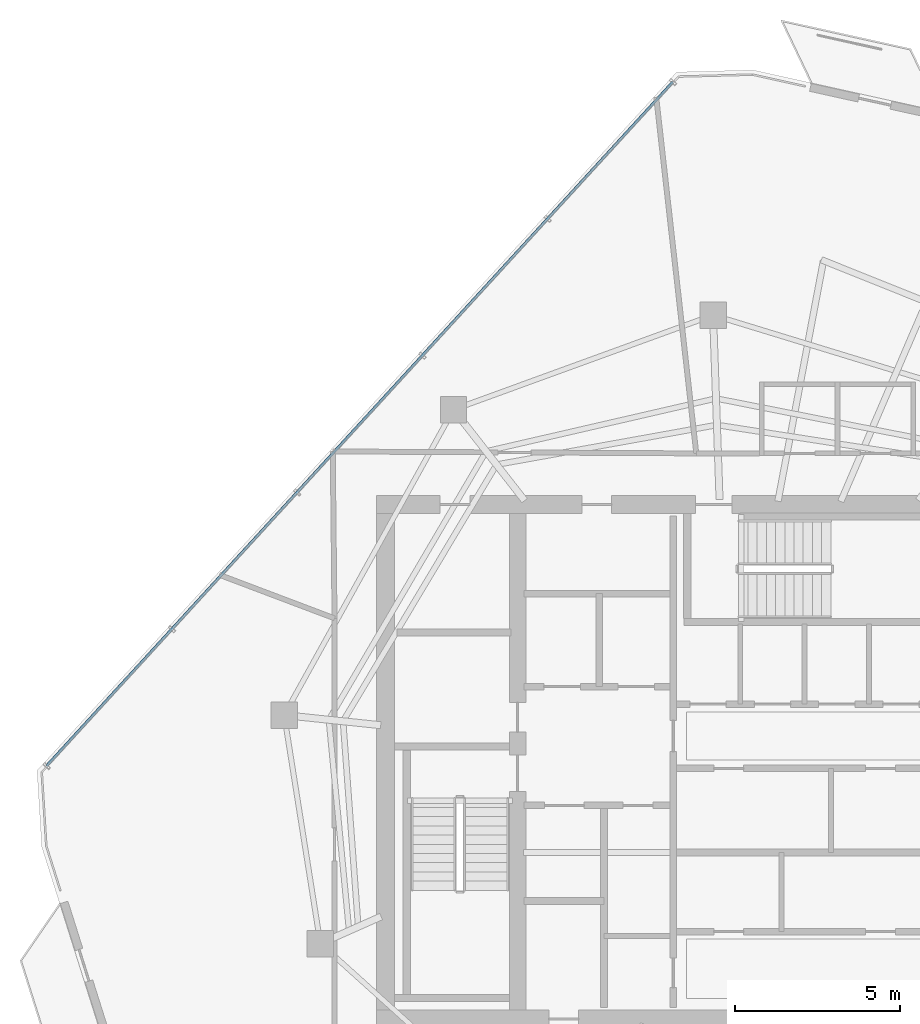
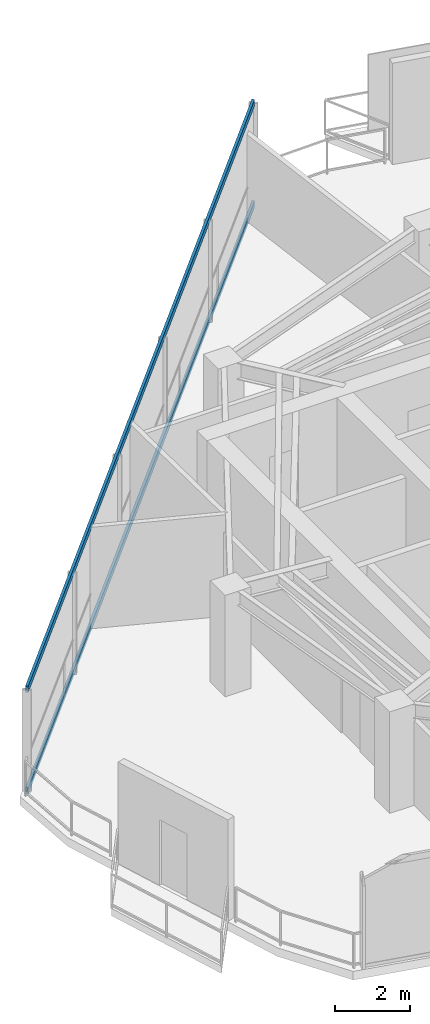
# One storey, part 7 of 18: 2 members, 1 element without a shape of its own.
"""IFC4 building model written with IfcOpenShell, lengths in metres."""

from ifc_helpers import new_model, si_unit, direction, frame, origin, origin_2d, place, context, subcontext, project, spatial, hollow_rectangle, extrude, material, layer, layer_set, material_profile, profile_set, type_object, element, aggregate, save


model = new_model("IFC4")

# Units and contexts
model_context = context("Model", 3, precision=1e-05, world=origin(), true_north=direction((0.0, 1.0)))
body_context = subcontext(model_context, "Body", "Model", "MODEL_VIEW")
ifc_project = project(units=[si_unit("LENGTHUNIT", "METRE"), si_unit("AREAUNIT", "SQUARE_METRE"), si_unit("VOLUMEUNIT", "CUBIC_METRE"), si_unit("PLANEANGLEUNIT", "RADIAN"), si_unit("MASSUNIT", "GRAM", prefix="KILO")], contexts=[model_context])

# Site, building, storey
site_placement = place(None, origin())
site = spatial("IfcSite", under=ifc_project, at=site_placement, CompositionType="ELEMENT")
building_placement = place(site_placement, origin())
building = spatial("IfcBuilding", under=site, at=building_placement, Name="Qarnah Convention Tower", CompositionType="ELEMENT")
storey_placement = place(building_placement, frame((0.0, 0.0, 246.300048828125)))
storey = spatial("IfcBuildingStorey", under=building, at=storey_placement, Name="L66", CompositionType="ELEMENT", Elevation=246.300048828125)

# Curtain wall, members
ifc_material_1 = material(Name="Tempered Low-E dark glass", Category="glass")
ifc_layer = layer(ifc_material_1, 0.176025390625)
ifc_layer_set = layer_set([ifc_layer], Name="Tempered Low-E dark glass")
curtain_wall_type = type_object("IfcCurtainWallType", Name="CWS-05", PredefinedType="NOTDEFINED", material=ifc_layer_set)
curtain_wall_placement = place(storey_placement, origin())
curtain_wall = element("IfcCurtainWall", 1, at=curtain_wall_placement, inside=storey, type_object=curtain_wall_type, Name="L66 unitised curtain wall CW-L66-F1", PredefinedType="NOTDEFINED")
ifc_material_2 = material(Name="Black anodised aluminium", Category="aluminium")
ifc_material_profile = material_profile(ifc_material_2, hollow_rectangle(XDim=0.080078125, YDim=0.2099609375, WallThickness=0.0048828125, at=origin_2d()), Name="TRN-80X210")
ifc_profile_set = profile_set([ifc_material_profile], Name="Black anodised aluminium")
member_type = type_object("IfcMemberType", Name="TRN-T5", PredefinedType="USERDEFINED", material=ifc_profile_set)
member_1_placement = place(storey_placement, frame((16.52099609375, 26.27490234375, 0.0), z_axis=(0.675335638327, 0.737510525759, 0.0), x_axis=(-0.737510525759, 0.675335638327, 0.0)))
member_1 = element("IfcMember", 2, at=member_1_placement, type_object=member_type, Name="CW-L66-F1 transom 1", ObjectType="TRANSOM", PredefinedType="USERDEFINED", context=body_context, shape_type="SweptSolid", body=[
    extrude(hollow_rectangle(XDim=0.080078125, YDim=0.2099609375, WallThickness=0.0048828125, at=origin_2d()), origin(), (0.0, 0.0, 1.0), 28.114990234375),
])
member_2_placement = place(storey_placement, frame((16.52099609375, 26.27490234375, 3.320068359375), z_axis=(0.675335638327, 0.737510525759, 0.0), x_axis=(-0.737510525759, 0.675335638327, 0.0)))
member_2 = element("IfcMember", 3, at=member_2_placement, type_object=member_type, Name="CW-L66-F1 transom 2", ObjectType="TRANSOM", PredefinedType="USERDEFINED", context=body_context, shape_type="SweptSolid", body=[
    extrude(hollow_rectangle(XDim=0.080078125, YDim=0.2099609375, WallThickness=0.0048828125, at=origin_2d()), origin(), (0.0, 0.0, 1.0), 28.114990234375),
])
aggregate(curtain_wall, [member_1, member_2])

save(model, "model.ifc")
